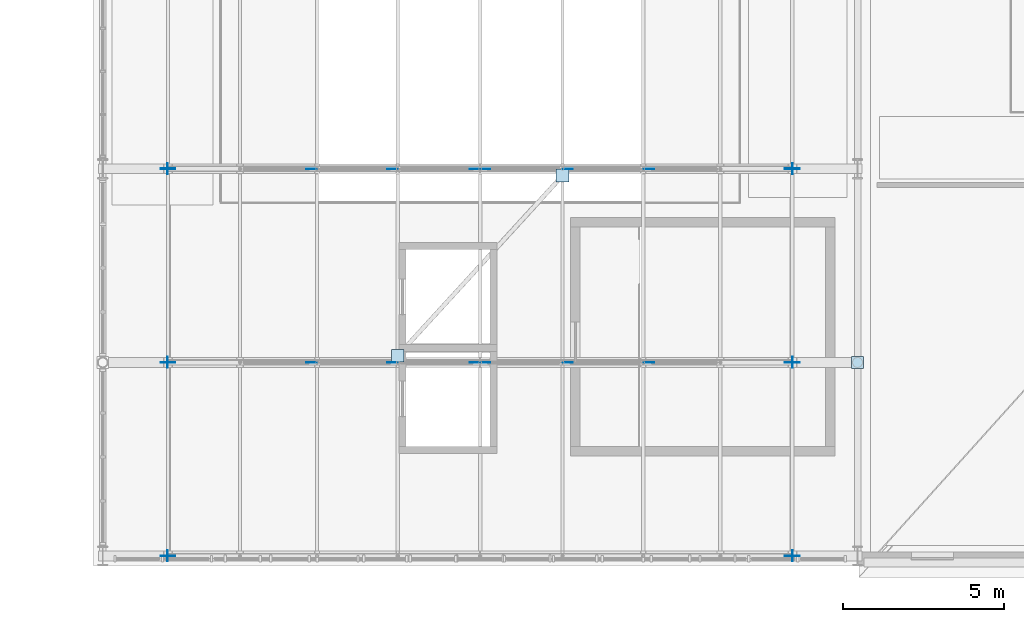
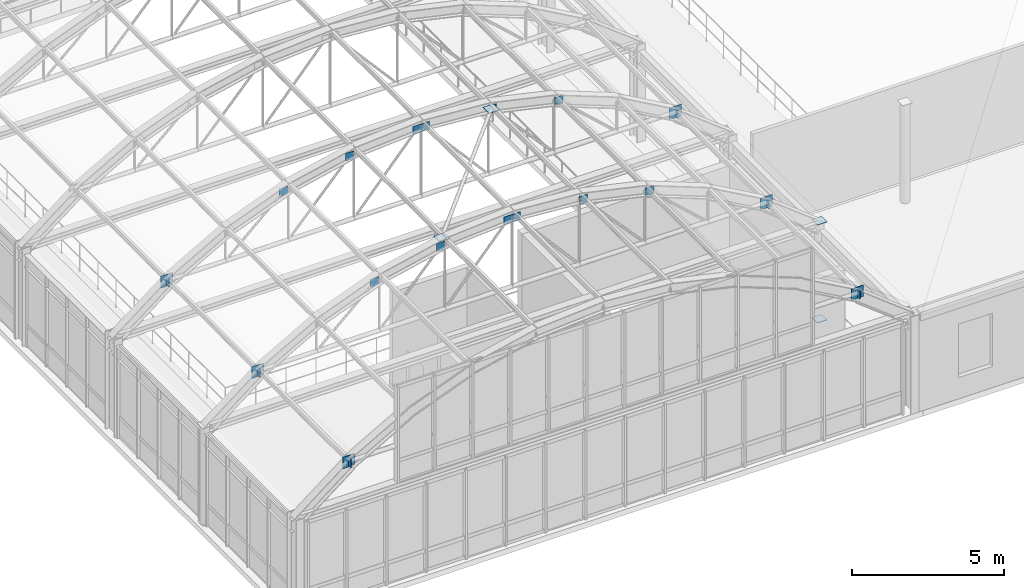
# One storey, part 114 of 148: 28 plates.
"""IFC4 building model written with IfcOpenShell, lengths in metres."""

from ifc_helpers import new_model, si_unit, direction, frame, origin, origin_2d, place, context, subcontext, project, spatial, rectangle, extrude, material, layer, layer_set, type_object, element, save


model = new_model("IFC4")

# Units and contexts
model_context = context("Model", 3, precision=1e-05, world=origin(), true_north=direction((0.0, 1.0)))
body_context = subcontext(model_context, "Body", "Model", "MODEL_VIEW")
ifc_project = project(units=[si_unit("LENGTHUNIT", "METRE"), si_unit("AREAUNIT", "SQUARE_METRE"), si_unit("VOLUMEUNIT", "CUBIC_METRE"), si_unit("PLANEANGLEUNIT", "RADIAN"), si_unit("MASSUNIT", "GRAM", prefix="KILO"), si_unit("THERMODYNAMICTEMPERATUREUNIT", "KELVIN"), si_unit("POWERUNIT", "WATT")], contexts=[model_context])

# Site, building, storey
site_placement = place(None, origin())
site = spatial("IfcSite", under=ifc_project, at=site_placement, CompositionType="ELEMENT")
building_placement = place(site_placement, origin())
building = spatial("IfcBuilding", under=site, at=building_placement, Name="Solvatero Civic Police Headquarters", CompositionType="ELEMENT")
storey_placement = place(building_placement, frame((0.0, 0.0, 5.10009765625)))
storey = spatial("IfcBuildingStorey", under=building, at=storey_placement, Name="L01", CompositionType="ELEMENT", Elevation=5.10009765625)

# Plates
ifc_material = material(Name="Steel S355", Category="steel")
ifc_layer_1 = layer(ifc_material, 0.02001953125)
ifc_layer_set_1 = layer_set([ifc_layer_1], Name="Steel S355")
plate_type_1 = type_object("IfcPlateType", Name="PLT-CAP-20", PredefinedType="SHEET", material=ifc_layer_set_1)
for number, where, z_axis, x_axis, name in (
    (1, (122.199951171875, 10.800048828125, 3.919921875), (0.0, 0.0, 1.0), (1.0, 0.0, 0.0), "Hollow Section End Cap Plate 0055"),
    (2, (122.199951171875, 10.800048828125, -0.02001953125), (0.0, 0.0, 1.0), (1.0, 0.0, 0.0), "Hollow Section End Cap Plate 0056"),
):
    element("IfcPlate", number, at=place(storey_placement, frame(where, z_axis=z_axis, x_axis=x_axis)), inside=storey, type_object=plate_type_1, Name=name, PredefinedType="SHEET", context=body_context, shape_type="SweptSolid", body=[
        extrude(rectangle(XDim=0.364013671875, YDim=0.364013671875, at=origin_2d()), origin(), (0.0, 0.0, 1.0), 0.02001953125),
    ])
for number, where, z_axis, x_axis, name in (
    (3, (100.8125, 4.800048828125, 5.2216796875), (0.0, 0.0, 1.0), (1.0, 0.0, 0.0), "Hollow Section End Cap Plate 0151"),
    (4, (120.1875, 4.800048828125, 5.2216796875), (0.0, 0.0, 1.0), (1.0, 0.0, 0.0), "Hollow Section End Cap Plate 0152"),
    (5, (100.8125, 10.800048828125, 5.2216796875), (0.0, 0.0, 1.0), (1.0, 0.0, 0.0), "Hollow Section End Cap Plate 0153"),
    (6, (120.1875, 10.800048828125, 5.2216796875), (0.0, 0.0, 1.0), (1.0, 0.0, 0.0), "Hollow Section End Cap Plate 0154"),
    (7, (100.8125, 16.800048828125, 5.2216796875), (0.0, 0.0, 1.0), (1.0, 0.0, 0.0), "Hollow Section End Cap Plate 0155"),
    (8, (120.1875, 16.800048828125, 5.2216796875), (0.0, 0.0, 1.0), (1.0, 0.0, 0.0), "Hollow Section End Cap Plate 0156"),
):
    element("IfcPlate", number, at=place(storey_placement, frame(where, z_axis=z_axis, x_axis=x_axis)), inside=storey, type_object=plate_type_1, Name=name, PredefinedType="SHEET", context=body_context, shape_type="SweptSolid", body=[
        extrude(rectangle(XDim=0.02001953125, YDim=0.340087890625, at=origin_2d()), origin(), (0.0, 0.0, 1.0), 0.340087890625),
    ])
ifc_layer_2 = layer(ifc_material, 0.02001953125)
ifc_layer_set_2 = layer_set([ifc_layer_2], Name="Steel S355")
plate_type_2 = type_object("IfcPlateType", Name="PLT-GUS-16", PredefinedType="SHEET", material=ifc_layer_set_2)
for number, where, z_axis, x_axis, name in (
    (9, (105.267333984375, 10.800048828125, 7.24951171875), (0.0, 0.0, 1.0), (1.0, 0.0, 0.0), "VLT1 Vault Diagonal Gusset F2.2"),
    (10, (107.783203125, 10.800048828125, 7.79345703125), (0.0, 0.0, 1.0), (1.0, 0.0, 0.0), "VLT1 Vault Diagonal Gusset F2.3"),
    (11, (110.34228515625, 10.800048828125, 7.97802734375), (0.0, 0.0, 1.0), (1.0, 0.0, 0.0), "VLT1 Vault Diagonal Gusset F2.4"),
    (12, (110.65771484375, 10.800048828125, 7.97802734375), (0.0, 0.0, 1.0), (1.0, 0.0, 0.0), "VLT1 Vault Diagonal Gusset F2.5"),
    (13, (113.216796875, 10.800048828125, 7.79345703125), (0.0, 0.0, 1.0), (1.0, 0.0, 0.0), "VLT1 Vault Diagonal Gusset F2.6"),
    (14, (115.732666015625, 10.800048828125, 7.24951171875), (0.0, 0.0, 1.0), (1.0, 0.0, 0.0), "VLT1 Vault Diagonal Gusset F2.7"),
    (15, (105.267333984375, 16.800048828125, 7.24951171875), (0.0, 0.0, 1.0), (1.0, 0.0, 0.0), "VLT1 Vault Diagonal Gusset F3.2"),
    (16, (107.783203125, 16.800048828125, 7.79345703125), (0.0, 0.0, 1.0), (1.0, 0.0, 0.0), "VLT1 Vault Diagonal Gusset F3.3"),
    (17, (110.34228515625, 16.800048828125, 7.97802734375), (0.0, 0.0, 1.0), (1.0, 0.0, 0.0), "VLT1 Vault Diagonal Gusset F3.4"),
    (18, (110.65771484375, 16.800048828125, 7.97802734375), (0.0, 0.0, 1.0), (1.0, 0.0, 0.0), "VLT1 Vault Diagonal Gusset F3.5"),
    (19, (113.216796875, 16.800048828125, 7.79345703125), (0.0, 0.0, 1.0), (1.0, 0.0, 0.0), "VLT1 Vault Diagonal Gusset F3.6"),
    (20, (115.732666015625, 16.800048828125, 7.24951171875), (0.0, 0.0, 1.0), (1.0, 0.0, 0.0), "VLT1 Vault Diagonal Gusset F3.7"),
):
    element("IfcPlate", number, at=place(storey_placement, frame(where, z_axis=z_axis, x_axis=x_axis)), inside=storey, type_object=plate_type_2, Name=name, PredefinedType="SHEET", context=body_context, shape_type="SweptSolid", body=[
        extrude(rectangle(XDim=0.320068359375, YDim=0.02001953125, at=origin_2d()), origin(), (0.0, 0.0, 1.0), 0.320068359375),
    ])
for number, where, z_axis, x_axis, name in (
    (21, (107.94482421875, 11.008056640625, 8.120849609375), (0.0, 0.0, 1.0), (1.0, 0.0, 0.0), "VLT1 Wind Brace Gusset A B2"),
    (22, (113.05517578125, 16.592041015625, 8.120849609375), (0.0, 0.0, 1.0), (1.0, 0.0, 0.0), "VLT1 Wind Brace Gusset B B2"),
):
    element("IfcPlate", number, at=place(storey_placement, frame(where, z_axis=z_axis, x_axis=x_axis)), inside=storey, type_object=plate_type_2, Name=name, PredefinedType="SHEET", context=body_context, shape_type="SweptSolid", body=[
        extrude(rectangle(XDim=0.39990234375, YDim=0.39990234375, at=origin_2d()), origin(), (0.0, 0.0, 1.0), 0.02001953125),
    ])
ifc_layer_3 = layer(ifc_material, 0.02490234375)
ifc_layer_set_3 = layer_set([ifc_layer_3], Name="Steel S355")
plate_type_3 = type_object("IfcPlateType", Name="PLT-GUS-20", PredefinedType="SHEET", material=ifc_layer_set_3)
for number, where, z_axis, x_axis, name in (
    (23, (100.822509765625, 4.800048828125, 5.16162109375), (0.0, 0.0, 1.0), (1.0, 0.0, 0.0), "VLT1 Haunch Gusset W F1"),
    (24, (120.177490234375, 4.800048828125, 5.16162109375), (0.0, 0.0, 1.0), (1.0, 0.0, 0.0), "VLT1 Haunch Gusset E F1"),
    (25, (100.822509765625, 10.800048828125, 5.16162109375), (0.0, 0.0, 1.0), (1.0, 0.0, 0.0), "VLT1 Haunch Gusset W F2"),
    (26, (120.177490234375, 10.800048828125, 5.16162109375), (0.0, 0.0, 1.0), (1.0, 0.0, 0.0), "VLT1 Haunch Gusset E F2"),
    (27, (100.822509765625, 16.800048828125, 5.16162109375), (0.0, 0.0, 1.0), (1.0, 0.0, 0.0), "VLT1 Haunch Gusset W F3"),
    (28, (120.177490234375, 16.800048828125, 5.16162109375), (0.0, 0.0, 1.0), (1.0, 0.0, 0.0), "VLT1 Haunch Gusset E F3"),
):
    element("IfcPlate", number, at=place(storey_placement, frame(where, z_axis=z_axis, x_axis=x_axis)), inside=storey, type_object=plate_type_3, Name=name, PredefinedType="SHEET", context=body_context, shape_type="SweptSolid", body=[
        extrude(rectangle(XDim=0.4599609375, YDim=0.02490234375, at=origin_2d()), origin(), (0.0, 0.0, 1.0), 0.4599609375),
    ])

save(model, "model.ifc")
